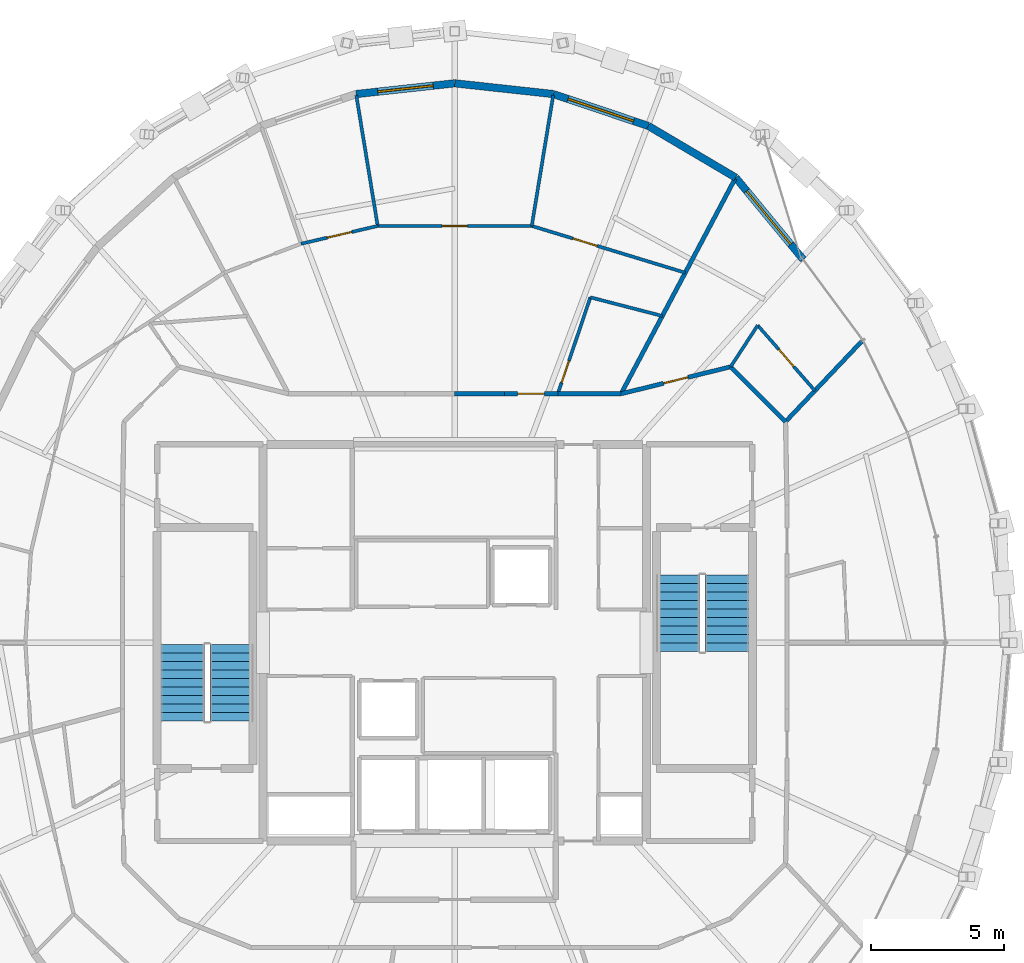
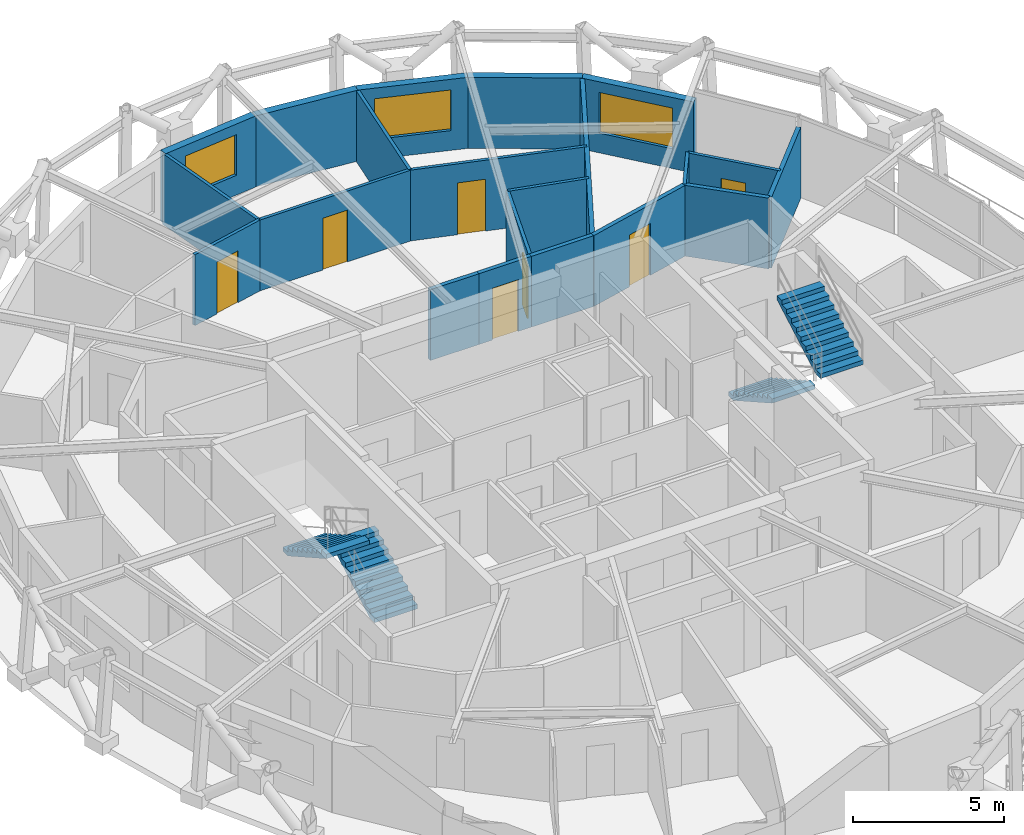
# One storey, part 14 of 15: 21 walls, 7 doors, 4 stair flights, 3 windows, 10 openings, 2 elements without a shape of their own.
"""IFC4 building model written with IfcOpenShell, lengths in metres."""

import ifcopenshell
import ifcopenshell.guid

model = None  # the IFC model being written
_history = None  # IfcOwnerHistory: only IFC2X3 demands one
_inside = {}  # id of a spatial element -> (the spatial element, [elements in it])
_under = {}  # id of a project, library or spatial element -> (it, [spatial elements below it])
_declared = {}  # id of a project -> (the project, [libraries it declares])
_typed = {}  # id of a type object -> (the type object, [elements of that type])
_made_of = {}  # id of a material, layer set ... -> (it, [elements and type objects made of it])


def new_model(schema):
    """Start an empty IFC model of exactly this schema.

    Asked for "IFC4X3", IfcOpenShell would pick the latest addendum, in which some entities
    have other attributes; the version numbers below select the first issue.
    IFC2X3 requires an IfcOwnerHistory on every rooted entity: one is made here for all.
    """
    global model, _history
    if schema == "IFC4X3":
        model = ifcopenshell.file(schema_version=(4, 3, 0, 0))
    else:
        model = ifcopenshell.file(schema=schema)
    _inside.clear()
    _under.clear()
    _declared.clear()
    _typed.clear()
    _made_of.clear()
    _history = None
    if model.schema == "IFC2X3":
        org = make("IfcOrganization", Name="unknown")
        user = make(
            "IfcPersonAndOrganization",
            ThePerson=make("IfcPerson", FamilyName="unknown"),
            TheOrganization=org,
        )
        app = make(
            "IfcApplication",
            ApplicationDeveloper=org,
            Version="unknown",
            ApplicationFullName="unknown",
            ApplicationIdentifier="unknown",
        )
        _history = make(
            "IfcOwnerHistory",
            OwningUser=user,
            OwningApplication=app,
            ChangeAction="ADDED",
            CreationDate=0,
        )
    return model


def make(cls, **values):
    """One entity of the class cls with the attributes given. An attribute that is None is left unset."""
    return model.create_entity(
        cls, **{name: value for name, value in values.items() if value is not None}
    )


def rooted(cls, **values):
    """An entity with a GlobalId (a new one), such as an element, a storey or a relation."""
    return make(cls, GlobalId=ifcopenshell.guid.new(), OwnerHistory=_history, **values)


def si_unit(unit_type, name, prefix=None):
    """IfcSIUnit, for example si_unit("LENGTHUNIT", "METRE", prefix="MILLI")."""
    return make("IfcSIUnit", UnitType=unit_type, Prefix=prefix, Name=name)


def assignment(units):
    """IfcUnitAssignment: the units of a project."""
    return None if units is None else make("IfcUnitAssignment", Units=units)


def point(xyz):
    """IfcCartesianPoint."""
    return None if xyz is None else make("IfcCartesianPoint", Coordinates=xyz)


def direction(xyz):
    """IfcDirection."""
    return None if xyz is None else make("IfcDirection", DirectionRatios=xyz)


def frame(location, z_axis=None, x_axis=None):
    """IfcAxis2Placement3D, a coordinate frame: its origin and axes. An axis left out is left unset."""
    return make(
        "IfcAxis2Placement3D",
        Location=point(location),
        Axis=direction(z_axis),
        RefDirection=direction(x_axis),
    )


def frame_2d(location, x_axis=None):
    """IfcAxis2Placement2D, a coordinate frame in the plane: its origin and x axis."""
    return make(
        "IfcAxis2Placement2D", Location=point(location), RefDirection=direction(x_axis)
    )


def origin():
    """The frame at (0, 0, 0) with its axes left unset."""
    return frame((0.0, 0.0, 0.0))


def place(relative_to, where):
    """IfcLocalPlacement: puts the frame where relative to a parent placement (None: the world)."""
    return make(
        "IfcLocalPlacement", PlacementRelTo=relative_to, RelativePlacement=where
    )


def context(
    kind, dimensions, precision=None, world=None, true_north=None, identifier=None
):
    """IfcGeometricRepresentationContext, for example the 3D "Model" context."""
    return make(
        "IfcGeometricRepresentationContext",
        ContextIdentifier=identifier,
        ContextType=kind,
        CoordinateSpaceDimension=dimensions,
        Precision=precision,
        WorldCoordinateSystem=world,
        TrueNorth=true_north,
    )


def subcontext(parent, identifier, kind, view, scale=None):
    """IfcGeometricRepresentationSubContext, for example "Body" below "Model"."""
    return make(
        "IfcGeometricRepresentationSubContext",
        ContextIdentifier=identifier,
        ContextType=kind,
        ParentContext=parent,
        TargetScale=scale,
        TargetView=view,
    )


def project(units=None, contexts=None):
    """IfcProject with its units and contexts."""
    return rooted(
        "IfcProject",
        Name="project",
        RepresentationContexts=contexts,
        UnitsInContext=assignment(units),
    )


def spatial(cls, under=None, at=None, **own):
    """A site, building, storey or space (cls), placed at a placement, below another one or the project."""
    s = rooted(cls, ObjectPlacement=at, **own)
    if under is not None:
        _under.setdefault(under.id(), (under, []))[1].append(s)
    return s


def polyline(points):
    """IfcPolyline through the points."""
    return make("IfcPolyline", Points=[point(p) for p in points])


def profile(cls, at=None, kind="AREA", **sizes):
    """A parametric profile (cls). Its sizes go by their IFC names, for example OverallWidth=200.0."""
    return make(cls, ProfileType=kind, Position=at, **sizes)


def rectangle(**sizes):
    """IfcRectangleProfileDef."""
    return profile("IfcRectangleProfileDef", **sizes)


def outline(outer, holes=None, kind="AREA"):
    """IfcArbitraryClosedProfileDef: a profile drawn as a closed curve; with holes, ...WithVoids."""
    if holes is None:
        return make("IfcArbitraryClosedProfileDef", ProfileType=kind, OuterCurve=outer)
    return make(
        "IfcArbitraryProfileDefWithVoids",
        ProfileType=kind,
        OuterCurve=outer,
        InnerCurves=holes,
    )


def extrude(swept, where, along, depth):
    """IfcExtrudedAreaSolid: the profile swept, set in the frame where, extruded along a direction by depth."""
    return make(
        "IfcExtrudedAreaSolid",
        SweptArea=swept,
        Position=where,
        ExtrudedDirection=direction(along),
        Depth=depth,
    )


def shape(context_of_items, identifier, shape_type, items):
    """IfcShapeRepresentation: the items that make up one representation, for example the "Body"."""
    return make(
        "IfcShapeRepresentation",
        ContextOfItems=context_of_items,
        RepresentationIdentifier=identifier,
        RepresentationType=shape_type,
        Items=items,
    )


def material(Name=None, Category=None):
    """IfcMaterial."""
    return make("IfcMaterial", Name=Name, Category=Category)


def layer(
    of_material, thickness, ventilated=None, Name=None, Category=None, Priority=None
):
    """IfcMaterialLayer: one layer of a wall or slab, of a material (None: an air gap)."""
    return make(
        "IfcMaterialLayer",
        Material=of_material,
        LayerThickness=thickness,
        IsVentilated=ventilated,
        Name=Name,
        Category=Category,
        Priority=Priority,
    )


def layer_set(layers, Name=None):
    """IfcMaterialLayerSet."""
    return make("IfcMaterialLayerSet", MaterialLayers=layers, LayerSetName=Name)


def made_of(thing, what):
    """Note that an element or type object is made of a material, layer set ...; save() writes the relation."""
    if what is not None:
        _made_of.setdefault(what.id(), (what, []))[1].append(thing)
    return thing


def type_object(cls, material=None, **own):
    """A type object (cls), such as IfcWallType, which elements share."""
    return made_of(rooted(cls, **own), material)


def element(
    cls,
    number,
    at=None,
    inside=None,
    cuts=None,
    type_object=None,
    material=None,
    context=None,
    identifier="Body",
    shape_type=None,
    held_by="IfcProductDefinitionShape",
    body=None,
    shapes=None,
    **own,
):
    """One element of the class cls, such as IfcWall. Its Tag is "e" and its number.

    at: its placement. inside: the storey or other place that contains it. cuts: it is an
    opening in that element (IfcRelVoidsElement). A single representation is given by context,
    identifier, shape_type and body (its items); several are given by shapes. held_by: the class
    of the entity that holds the representations. save() writes the other relations.
    """
    e = rooted(cls, Tag="e%d" % number, ObjectPlacement=at, **own)
    if body is not None:
        shapes = [shape(context, identifier, shape_type, body)]
    if shapes is not None:
        e.Representation = make(held_by, Representations=shapes)
    if inside is not None:
        _inside.setdefault(inside.id(), (inside, []))[1].append(e)
    if cuts is not None:
        rooted(
            "IfcRelVoidsElement", RelatingBuildingElement=cuts, RelatedOpeningElement=e
        )
    if type_object is not None:
        _typed.setdefault(type_object.id(), (type_object, []))[1].append(e)
    return made_of(e, material)


def fill(opening, filler):
    """IfcRelFillsElement: the door or window that sits in an opening."""
    return rooted(
        "IfcRelFillsElement",
        RelatingOpeningElement=opening,
        RelatedBuildingElement=filler,
    )


def aggregate(whole, parts):
    """IfcRelAggregates: a whole, such as a stair, and the parts it consists of."""
    return rooted("IfcRelAggregates", RelatingObject=whole, RelatedObjects=parts)


def save(model, path):
    """Write the relations noted so far, then the file.

    IfcRelAggregates (storeys below a building ...), IfcRelContainedInSpatialStructure (elements
    in a storey), IfcRelDefinesByType, IfcRelAssociatesMaterial and IfcRelDeclares: one each for
    every whole, place, type object, material and project.
    """
    for whole, parts in _under.values():
        aggregate(whole, parts)
    for where, things in _inside.values():
        rooted(
            "IfcRelContainedInSpatialStructure",
            RelatedElements=things,
            RelatingStructure=where,
        )
    for kind, things in _typed.values():
        rooted("IfcRelDefinesByType", RelatedObjects=things, RelatingType=kind)
    for what, things in _made_of.values():
        rooted("IfcRelAssociatesMaterial", RelatedObjects=things, RelatingMaterial=what)
    for by, libraries in _declared.values():
        rooted("IfcRelDeclares", RelatingContext=by, RelatedDefinitions=libraries)
    model.write(path)


model = new_model("IFC4")

# Units and contexts
model_context = context("Model", 3, precision=1e-05, world=origin(), true_north=direction((0.0, 1.0)))
body_context = subcontext(model_context, "Body", "Model", "MODEL_VIEW")
ifc_project = project(units=[si_unit("LENGTHUNIT", "METRE"), si_unit("AREAUNIT", "SQUARE_METRE"), si_unit("VOLUMEUNIT", "CUBIC_METRE"), si_unit("PLANEANGLEUNIT", "RADIAN"), si_unit("MASSUNIT", "GRAM", prefix="KILO")], contexts=[model_context])

# Site, building, storey
site_placement = place(None, origin())
site = spatial("IfcSite", under=ifc_project, at=site_placement, CompositionType="ELEMENT")
building_placement = place(site_placement, origin())
building = spatial("IfcBuilding", under=site, at=building_placement, Name="Veldorina Hangang Commons", CompositionType="ELEMENT")
storey_placement = place(building_placement, frame((0.0, 0.0, 276.0)))
storey = spatial("IfcBuildingStorey", under=building, at=storey_placement, Name="L72", CompositionType="ELEMENT", Elevation=276.0)

# Wall, opening, window
ifc_material_1 = material(Name="Stone Roman Travertine", Category="masonry")
ifc_layer_1 = layer(ifc_material_1, 0.280029296875)
ifc_layer_set_1 = layer_set([ifc_layer_1], Name="Stone Roman Travertine")
wall_type_1 = type_object("IfcWallType", Name="EW-TRAV-280", PredefinedType="STANDARD", material=ifc_layer_set_1)
wall_1_placement = place(storey_placement, frame((45.093994140625, 38.39111328125, 0.0), z_axis=(0.0, 0.0, 1.0), x_axis=(-0.636345665214, 0.77140404093, 0.0)))
wall_1 = element("IfcWall", 1, at=wall_1_placement, inside=storey, type_object=wall_type_1, Name="L72 travertine facade wall 04", PredefinedType="STANDARD", context=body_context, shape_type="SweptSolid", body=[
    extrude(rectangle(XDim=3.9931640625, YDim=0.280029296875, at=frame_2d((1.99658203125, 0.0))), origin(), (0.0, 0.0, 1.0), 2.8798828125),
])
opening_1_placement = place(wall_1_placement, frame((0.742431640625, 0.0, 0.800048828125)))
opening_1 = element("IfcOpeningElement", 2, at=opening_1_placement, cuts=wall_1, Name="Opening W-02", PredefinedType="OPENING", context=body_context, shape_type="SweptSolid", body=[
    extrude(rectangle(XDim=2.60009765625, YDim=1.64990234375, at=frame_2d((1.300048828125, 0.824951171875))), frame((0.0, 0.14990234375, 0.0), z_axis=(0.0, -1.0, 0.0), x_axis=(1.0, 0.0, 0.0)), (0.0, 0.0, 1.0), 0.300048828125),
])
ifc_material_2 = material(Name="Glass Low-E Triple IGU", Category="glass")
window_type_1 = type_object("IfcWindowType", Name="WIN-TWR-2600", PartitioningType="SINGLE_PANEL", PredefinedType="WINDOW", material=ifc_material_2)
window_1_placement = place(opening_1_placement, origin())
window_1 = element("IfcWindow", 3, at=window_1_placement, inside=storey, type_object=window_type_1, Name="L72 facade window 04", OverallHeight=1.64990234375, OverallWidth=2.60009765625, PartitioningType="SINGLE_PANEL", PredefinedType="WINDOW", context=body_context, shape_type="SweptSolid", body=[
    extrude(rectangle(XDim=2.60009765625, YDim=1.64990234375, at=frame_2d((1.300048828125, 0.824951171875))), frame((0.0, 0.030029296875, 0.0), z_axis=(0.0, -1.0, 0.0), x_axis=(1.0, 0.0, 0.0)), (0.0, 0.0, 1.0), 0.06005859375),
])
fill(opening_1, window_1)

# Wall
wall_2_placement = place(storey_placement, frame((42.552978515625, 41.471435546875, 0.0), z_axis=(0.0, 0.0, 1.0), x_axis=(-0.860795275747, 0.508951366294, 0.0)))
element("IfcWall", 4, at=wall_2_placement, inside=storey, type_object=wall_type_1, Name="L72 travertine facade wall 05", PredefinedType="STANDARD", context=body_context, shape_type="SweptSolid", body=[
    extrude(rectangle(XDim=3.81494140625, YDim=0.280029296875, at=frame_2d((1.907470703125, 0.0))), origin(), (0.0, 0.0, 1.0), 2.8798828125),
])

# Wall, opening, window
wall_3_placement = place(storey_placement, frame((39.26904296875, 43.4130859375, 0.0), z_axis=(0.0, 0.0, 1.0), x_axis=(-0.948038268377, 0.318156316445, 0.0)))
wall_3 = element("IfcWall", 5, at=wall_3_placement, inside=storey, type_object=wall_type_1, Name="L72 travertine facade wall 06", PredefinedType="STANDARD", context=body_context, shape_type="SweptSolid", body=[
    extrude(rectangle(XDim=3.758544921875, YDim=0.280029296875, at=frame_2d((1.87939453125, 0.0))), origin(), (0.0, 0.0, 1.0), 2.8798828125),
])
opening_2_placement = place(wall_3_placement, frame((0.579345703125, 0.0, 0.800048828125)))
opening_2 = element("IfcOpeningElement", 6, at=opening_2_placement, cuts=wall_3, Name="Opening W-02", PredefinedType="OPENING", context=body_context, shape_type="SweptSolid", body=[
    extrude(rectangle(XDim=2.60009765625, YDim=1.64990234375, at=frame_2d((1.300048828125, 0.824951171875))), frame((0.0, 0.14990234375, 0.0), z_axis=(0.0, -1.0, 0.0), x_axis=(1.0, 0.0, 0.0)), (0.0, 0.0, 1.0), 0.300048828125),
])
window_2_placement = place(opening_2_placement, origin())
window_2 = element("IfcWindow", 7, at=window_2_placement, inside=storey, type_object=window_type_1, Name="L72 facade window 06", OverallHeight=1.64990234375, OverallWidth=2.60009765625, PartitioningType="SINGLE_PANEL", PredefinedType="WINDOW", context=body_context, shape_type="SweptSolid", body=[
    extrude(rectangle(XDim=2.60009765625, YDim=1.64990234375, at=frame_2d((1.300048828125, 0.824951171875))), frame((0.0, 0.030029296875, 0.0), z_axis=(0.0, -1.0, 0.0), x_axis=(1.0, 0.0, 0.0)), (0.0, 0.0, 1.0), 0.06005859375),
])
fill(opening_2, window_2)

# Wall
wall_4_placement = place(storey_placement, frame((35.705810546875, 44.60888671875, 0.0), z_axis=(0.0, 0.0, 1.0), x_axis=(-0.99411552011, 0.108325124861, 0.0)))
element("IfcWall", 8, at=wall_4_placement, inside=storey, type_object=wall_type_1, Name="L72 travertine facade wall 07", PredefinedType="STANDARD", context=body_context, shape_type="SweptSolid", body=[
    extrude(rectangle(XDim=3.727783203125, YDim=0.280029296875, at=frame_2d((1.86376953125, 0.0))), origin(), (0.0, 0.0, 1.0), 2.8798828125),
])

# Wall, opening, window
wall_5_placement = place(storey_placement, frame((32.0, 45.0126953125, 0.0), z_axis=(0.0, 0.0, 1.0), x_axis=(-0.99411552011, -0.108325124861, 0.0)))
wall_5 = element("IfcWall", 9, at=wall_5_placement, inside=storey, type_object=wall_type_1, Name="L72 travertine facade wall 08", PredefinedType="STANDARD", context=body_context, shape_type="SweptSolid", body=[
    extrude(rectangle(XDim=3.727783203125, YDim=0.280029296875, at=frame_2d((1.86376953125, 0.0))), origin(), (0.0, 0.0, 1.0), 2.8798828125),
])
opening_3_placement = place(wall_5_placement, frame((0.813720703125, 0.0, 0.800048828125)))
opening_3 = element("IfcOpeningElement", 10, at=opening_3_placement, cuts=wall_5, Name="Opening W-03", PredefinedType="OPENING", context=body_context, shape_type="SweptSolid", body=[
    extrude(rectangle(XDim=2.10009765625, YDim=1.64990234375, at=frame_2d((1.050048828125, 0.824951171875))), frame((0.0, 0.14990234375, 0.0), z_axis=(0.0, -1.0, 0.0), x_axis=(1.0, 0.0, 0.0)), (0.0, 0.0, 1.0), 0.300048828125),
])
window_type_2 = type_object("IfcWindowType", Name="WIN-TWR-2100", PartitioningType="SINGLE_PANEL", PredefinedType="WINDOW", material=ifc_material_2)
window_3_placement = place(opening_3_placement, origin())
window_3 = element("IfcWindow", 11, at=window_3_placement, inside=storey, type_object=window_type_2, Name="L72 facade window 08", OverallHeight=1.64990234375, OverallWidth=2.10009765625, PartitioningType="SINGLE_PANEL", PredefinedType="WINDOW", context=body_context, shape_type="SweptSolid", body=[
    extrude(rectangle(XDim=2.10009765625, YDim=1.64990234375, at=frame_2d((1.050048828125, 0.824951171875))), frame((0.0, 0.030029296875, 0.0), z_axis=(0.0, -1.0, 0.0), x_axis=(1.0, 0.0, 0.0)), (0.0, 0.0, 1.0), 0.06005859375),
])
fill(opening_3, window_3)

# Wall
ifc_material_3 = material(Name="Gypsum Fire-Rated Twin Stud Wall", Category="gypsum")
ifc_layer_2 = layer(ifc_material_3, 0.159912109375)
ifc_layer_set_2 = layer_set([ifc_layer_2], Name="Gypsum Fire-Rated Twin Stud Wall")
wall_type_2 = type_object("IfcWallType", Name="WL-FIRE-160", PredefinedType="SOLIDWALL", material=ifc_layer_set_2)
wall_6_placement = place(storey_placement, frame((44.4267578125, 32.30322265625, 0.0), z_axis=(0.0, 0.0, 1.0), x_axis=(-0.707106781187, 0.707106781187, 0.0)))
element("IfcWall", 12, at=wall_6_placement, inside=storey, type_object=wall_type_2, Name="L72 Compact collar outer wall 03 055", PredefinedType="SOLIDWALL", context=body_context, shape_type="SweptSolid", body=[
    extrude(rectangle(XDim=2.915771484375, YDim=0.159912109375, at=frame_2d((1.4580078125, 0.0))), origin(), (0.0, 0.0, 1.0), 2.8701171875),
])

# Wall, opening, door
wall_7_placement = place(storey_placement, frame((42.364990234375, 34.364990234375, 0.0), z_axis=(0.0, 0.0, 1.0), x_axis=(-0.970939799552, -0.239323850978, 0.0)))
wall_7 = element("IfcWall", 13, at=wall_7_placement, inside=storey, type_object=wall_type_2, Name="L72 Compact collar outer wall 04 056", PredefinedType="SOLIDWALL", context=body_context, shape_type="SweptSolid", body=[
    extrude(rectangle(XDim=4.24072265625, YDim=0.159912109375, at=frame_2d((2.120361328125, 0.0))), origin(), (0.0, 0.0, 1.0), 2.8701171875),
])
opening_4_placement = place(wall_7_placement, frame((1.6455078125, 0.0, 0.0)))
opening_4 = element("IfcOpeningElement", 14, at=opening_4_placement, cuts=wall_7, Name="Opening D-03", PredefinedType="OPENING", context=body_context, shape_type="SweptSolid", body=[
    extrude(rectangle(XDim=0.949951171875, YDim=2.10009765625, at=frame_2d((0.47509765625, 1.050048828125))), frame((0.0, 0.08984375, 0.0), z_axis=(0.0, -1.0, 0.0), x_axis=(1.0, 0.0, 0.0)), (0.0, 0.0, 1.0), 0.179931640625),
])
ifc_material_4 = material(Name="Timber Fire-Rated Entrance Core", Category="wood")
door_type_1 = type_object("IfcDoorType", Name="DR-UNIT-950", OperationType="SINGLE_SWING_RIGHT", PredefinedType="DOOR", material=ifc_material_4)
door_1_placement = place(opening_4_placement, origin())
door_1 = element("IfcDoor", 15, at=door_1_placement, inside=storey, type_object=door_type_1, Name="L72 Studio 3 entrance door 024", OperationType="SINGLE_SWING_RIGHT", OverallHeight=2.10009765625, OverallWidth=0.949951171875, PredefinedType="DOOR", context=body_context, shape_type="SweptSolid", body=[
    extrude(rectangle(XDim=0.949951171875, YDim=2.10009765625, at=frame_2d((0.47509765625, 1.050048828125))), frame((0.0, 0.02490234375, 0.0), z_axis=(0.0, -1.0, 0.0), x_axis=(1.0, 0.0, 0.0)), (0.0, 0.0, 1.0), 0.050048828125),
])
fill(opening_4, door_1)

# Wall
wall_8_placement = place(storey_placement, frame((38.24755859375, 33.35009765625, 0.0), z_axis=(0.0, 0.0, 1.0), x_axis=(-1.0, 0.0, 0.0)))
element("IfcWall", 16, at=wall_8_placement, inside=storey, type_object=wall_type_2, Name="L72 Compact collar outer wall 05 057", PredefinedType="SOLIDWALL", context=body_context, shape_type="SweptSolid", body=[
    extrude(rectangle(XDim=2.374755859375, YDim=0.159912109375, at=frame_2d((1.1875, 0.0))), origin(), (0.0, 0.0, 1.0), 2.8701171875),
])

# Wall, opening, door
wall_9_placement = place(storey_placement, frame((35.872802734375, 33.35009765625, 0.0), z_axis=(0.0, 0.0, 1.0), x_axis=(-1.0, 0.0, 0.0)))
wall_9 = element("IfcWall", 17, at=wall_9_placement, inside=storey, type_object=wall_type_2, Name="L72 Compact collar outer wall 06 058", PredefinedType="SOLIDWALL", context=body_context, shape_type="SweptSolid", body=[
    extrude(rectangle(XDim=2.012939453125, YDim=0.159912109375, at=frame_2d((1.00634765625, 0.0))), origin(), (0.0, 0.0, 1.0), 2.8701171875),
])
opening_5_placement = place(wall_9_placement, frame((0.506591796875, 0.0, 0.0)))
opening_5 = element("IfcOpeningElement", 18, at=opening_5_placement, cuts=wall_9, Name="Opening D-06", PredefinedType="OPENING", context=body_context, shape_type="SweptSolid", body=[
    extrude(rectangle(XDim=1.0, YDim=2.10009765625, at=frame_2d((0.5, 1.050048828125))), frame((0.0, 0.08984375, 0.0), z_axis=(0.0, -1.0, 0.0), x_axis=(1.0, 0.0, 0.0)), (0.0, 0.0, 1.0), 0.179931640625),
])
door_type_2 = type_object("IfcDoorType", Name="DR-UNIT-1000", OperationType="SINGLE_SWING_LEFT", PredefinedType="DOOR", material=ifc_material_4)
door_2_placement = place(opening_5_placement, origin())
door_2 = element("IfcDoor", 19, at=door_2_placement, inside=storey, type_object=door_type_2, Name="L72 Cluster 4 entrance door 026", OperationType="SINGLE_SWING_RIGHT", OverallHeight=2.10009765625, OverallWidth=1.0, PredefinedType="DOOR", context=body_context, shape_type="SweptSolid", body=[
    extrude(rectangle(XDim=1.0, YDim=2.10009765625, at=frame_2d((0.5, 1.050048828125))), frame((0.0, 0.02490234375, 0.0), z_axis=(0.0, -1.0, 0.0), x_axis=(1.0, 0.0, 0.0)), (0.0, 0.0, 1.0), 0.050048828125),
])
fill(opening_5, door_2)

# Walls
wall_10_placement = place(storey_placement, frame((33.85986328125, 33.35009765625, 0.0), z_axis=(0.0, 0.0, 1.0), x_axis=(-1.0, 0.0, 0.0)))
element("IfcWall", 20, at=wall_10_placement, inside=storey, type_object=wall_type_2, Name="L72 Compact collar outer wall 07 059", PredefinedType="SOLIDWALL", context=body_context, shape_type="SweptSolid", body=[
    extrude(rectangle(XDim=1.85986328125, YDim=0.159912109375, at=frame_2d((0.929931640625, 0.0))), origin(), (0.0, 0.0, 1.0), 2.8701171875),
])
wall_11_placement = place(storey_placement, frame((44.4267578125, 32.30322265625, 0.0), z_axis=(0.0, 0.0, 1.0), x_axis=(0.688077752734, 0.72563696584, 0.0)))
element("IfcWall", 21, at=wall_11_placement, inside=storey, type_object=wall_type_2, Name="L72 Unit party wall 03 088", PredefinedType="SOLIDWALL", context=body_context, shape_type="SweptSolid", body=[
    extrude(rectangle(XDim=4.16650390625, YDim=0.159912109375, at=frame_2d((2.083251953125, 0.0))), origin(), (0.0, 0.0, 1.0), 2.8701171875),
])
wall_12_placement = place(storey_placement, frame((38.24755859375, 33.35009765625, 0.0), z_axis=(0.0, 0.0, 1.0), x_axis=(0.468387037798, 0.883523391214, 0.0)))
element("IfcWall", 22, at=wall_12_placement, inside=storey, type_object=wall_type_2, Name="L72 Unit party wall 05 091", PredefinedType="SOLIDWALL", context=body_context, shape_type="SweptSolid", body=[
    extrude(rectangle(XDim=9.14208984375, YDim=0.159912109375, at=frame_2d((4.571044921875, 0.0))), origin(), (0.0, 0.0, 1.0), 2.8701171875),
])

# Wall, opening, door
ifc_material_5 = material(Name="Gypsum Acoustic Stud Partition", Category="gypsum")
ifc_layer_3 = layer(ifc_material_5, 0.1201171875)
ifc_layer_set_3 = layer_set([ifc_layer_3], Name="Gypsum Acoustic Stud Partition")
wall_type_3 = type_object("IfcWallType", Name="WL-PART-120", PredefinedType="PARTITIONING", material=ifc_layer_set_3)
wall_13_placement = place(storey_placement, frame((45.529296875, 33.4658203125, 0.0), z_axis=(0.0, 0.0, 1.0), x_axis=(-0.658568155217, 0.752521086039, 0.0)))
wall_13 = element("IfcWall", 23, at=wall_13_placement, inside=storey, type_object=wall_type_3, Name="L72 Studio 3 bath front wall 089", PredefinedType="PARTITIONING", context=body_context, shape_type="SweptSolid", body=[
    extrude(rectangle(XDim=3.263671875, YDim=0.1201171875, at=frame_2d((1.6318359375, 0.0))), origin(), (0.0, 0.0, 1.0), 2.8701171875),
])
opening_6_placement = place(wall_13_placement, frame((1.201904296875, 0.0, 0.0)))
opening_6 = element("IfcOpeningElement", 24, at=opening_6_placement, cuts=wall_13, Name="Opening D-01", PredefinedType="OPENING", context=body_context, shape_type="SweptSolid", body=[
    extrude(rectangle(XDim=0.860107421875, YDim=2.10009765625, at=frame_2d((0.43017578125, 1.050048828125))), frame((0.0, 0.070068359375, 0.0), z_axis=(0.0, -1.0, 0.0), x_axis=(1.0, 0.0, 0.0)), (0.0, 0.0, 1.0), 0.14013671875),
])
ifc_material_6 = material(Name="Timber Moisture-Resistant Core", Category="wood")
door_type_3 = type_object("IfcDoorType", Name="DR-WET-860", OperationType="SINGLE_SWING_LEFT", PredefinedType="DOOR", material=ifc_material_6)
door_3_placement = place(opening_6_placement, origin())
door_3 = element("IfcDoor", 25, at=door_3_placement, inside=storey, type_object=door_type_3, Name="L72 Studio 3 bathroom door 023", OperationType="SINGLE_SWING_LEFT", OverallHeight=2.10009765625, OverallWidth=0.860107421875, PredefinedType="DOOR", context=body_context, shape_type="SweptSolid", body=[
    extrude(rectangle(XDim=0.860107421875, YDim=2.10009765625, at=frame_2d((0.43017578125, 1.050048828125))), frame((0.0, 0.02490234375, 0.0), z_axis=(0.0, -1.0, 0.0), x_axis=(1.0, 0.0, 0.0)), (0.0, 0.0, 1.0), 0.050048828125),
])
fill(opening_6, door_3)

# Walls
wall_14_placement = place(storey_placement, frame((42.364990234375, 34.364990234375, 0.0), z_axis=(0.0, 0.0, 1.0), x_axis=(0.546091451309, 0.837725567717, 0.0)))
element("IfcWall", 26, at=wall_14_placement, inside=storey, type_object=wall_type_3, Name="L72 Studio 3 bath side wall 090", PredefinedType="PARTITIONING", context=body_context, shape_type="SweptSolid", body=[
    extrude(rectangle(XDim=1.8583984375, YDim=0.1201171875, at=frame_2d((0.92919921875, 0.0))), origin(), (0.0, 0.0, 1.0), 2.8701171875),
])
wall_15_placement = place(storey_placement, frame((39.797607421875, 36.273681640625, 0.0), z_axis=(0.0, 0.0, 1.0), x_axis=(-0.968113270106, 0.250512866424, 0.0)))
element("IfcWall", 27, at=wall_15_placement, inside=storey, type_object=wall_type_3, Name="L72 Cluster 4 bath front wall 092", PredefinedType="PARTITIONING", context=body_context, shape_type="SweptSolid", body=[
    extrude(rectangle(XDim=2.791259765625, YDim=0.1201171875, at=frame_2d((1.3955078125, 0.0))), origin(), (0.0, 0.0, 1.0), 2.8701171875),
])

# Wall, opening, door
wall_16_placement = place(storey_placement, frame((35.872802734375, 33.35009765625, 0.0), z_axis=(0.0, 0.0, 1.0), x_axis=(0.319769329264, 0.947495422713, 0.0)))
wall_16 = element("IfcWall", 28, at=wall_16_placement, inside=storey, type_object=wall_type_3, Name="L72 Cluster 4 bath side wall 093", PredefinedType="PARTITIONING", context=body_context, shape_type="SweptSolid", body=[
    extrude(rectangle(XDim=3.823486328125, YDim=0.1201171875, at=frame_2d((1.91162109375, 0.0))), origin(), (0.0, 0.0, 1.0), 2.8701171875),
])
opening_7_placement = place(wall_16_placement, frame((0.43994140625, 0.0, 0.0)))
opening_7 = element("IfcOpeningElement", 29, at=opening_7_placement, cuts=wall_16, Name="Opening D-01", PredefinedType="OPENING", context=body_context, shape_type="SweptSolid", body=[
    extrude(rectangle(XDim=0.860107421875, YDim=2.10009765625, at=frame_2d((0.43017578125, 1.050048828125))), frame((0.0, 0.070068359375, 0.0), z_axis=(0.0, -1.0, 0.0), x_axis=(1.0, 0.0, 0.0)), (0.0, 0.0, 1.0), 0.14013671875),
])
door_4_placement = place(opening_7_placement, origin())
door_4 = element("IfcDoor", 30, at=door_4_placement, inside=storey, type_object=door_type_3, Name="L72 Cluster 4 shared bathroom door 025", OperationType="SINGLE_SWING_LEFT", OverallHeight=2.10009765625, OverallWidth=0.860107421875, PredefinedType="DOOR", context=body_context, shape_type="SweptSolid", body=[
    extrude(rectangle(XDim=0.860107421875, YDim=2.10009765625, at=frame_2d((0.43017578125, 1.050048828125))), frame((0.0, 0.02490234375, 0.0), z_axis=(0.0, -1.0, 0.0), x_axis=(1.0, 0.0, 0.0)), (0.0, 0.0, 1.0), 0.050048828125),
])
fill(opening_7, door_4)

wall_17_placement = place(storey_placement, frame((40.65869140625, 37.89794921875, 0.0), z_axis=(0.0, 0.0, 1.0), x_axis=(-0.956559500831, 0.291537169792, 0.0)))
wall_17 = element("IfcWall", 31, at=wall_17_placement, inside=storey, type_object=wall_type_3, Name="L72 Cluster 4 bed 1 front wall 094", PredefinedType="PARTITIONING", context=body_context, shape_type="SweptSolid", body=[
    extrude(rectangle(XDim=6.02685546875, YDim=0.1201171875, at=frame_2d((3.013427734375, 0.0))), origin(), (0.0, 0.0, 1.0), 2.8701171875),
])
opening_8_placement = place(wall_17_placement, frame((3.4619140625, 0.0, 0.0)))
opening_8 = element("IfcOpeningElement", 32, at=opening_8_placement, cuts=wall_17, Name="Opening D-02", PredefinedType="OPENING", context=body_context, shape_type="SweptSolid", body=[
    extrude(rectangle(XDim=0.949951171875, YDim=2.10009765625, at=frame_2d((0.47509765625, 1.050048828125))), frame((0.0, 0.070068359375, 0.0), z_axis=(0.0, -1.0, 0.0), x_axis=(1.0, 0.0, 0.0)), (0.0, 0.0, 1.0), 0.14013671875),
])
ifc_material_7 = material(Name="Timber Solid Core Acoustic", Category="wood")
door_type_4 = type_object("IfcDoorType", Name="DR-INT-950", OperationType="SINGLE_SWING_LEFT", PredefinedType="DOOR", material=ifc_material_7)
door_5_placement = place(opening_8_placement, origin())
door_5 = element("IfcDoor", 33, at=door_5_placement, inside=storey, type_object=door_type_4, Name="L72 Cluster 4 bed 1 door 027", OperationType="SINGLE_SWING_LEFT", OverallHeight=2.10009765625, OverallWidth=0.949951171875, PredefinedType="DOOR", context=body_context, shape_type="SweptSolid", body=[
    extrude(rectangle(XDim=0.949951171875, YDim=2.10009765625, at=frame_2d((0.47509765625, 1.050048828125))), frame((0.0, 0.02490234375, 0.0), z_axis=(0.0, -1.0, 0.0), x_axis=(1.0, 0.0, 0.0)), (0.0, 0.0, 1.0), 0.050048828125),
])
fill(opening_8, door_5)

wall_18_placement = place(storey_placement, frame((34.8935546875, 39.655029296875, 0.0), z_axis=(0.0, 0.0, 1.0), x_axis=(-1.0, 0.0, 0.0)))
wall_18 = element("IfcWall", 34, at=wall_18_placement, inside=storey, type_object=wall_type_3, Name="L72 Cluster 4 bed 2 front wall 095", PredefinedType="PARTITIONING", context=body_context, shape_type="SweptSolid", body=[
    extrude(rectangle(XDim=5.787109375, YDim=0.1201171875, at=frame_2d((2.8935546875, 0.0))), origin(), (0.0, 0.0, 1.0), 2.8701171875),
])
opening_9_placement = place(wall_18_placement, frame((2.41845703125, 0.0, 0.0)))
opening_9 = element("IfcOpeningElement", 35, at=opening_9_placement, cuts=wall_18, Name="Opening D-02", PredefinedType="OPENING", context=body_context, shape_type="SweptSolid", body=[
    extrude(rectangle(XDim=0.949951171875, YDim=2.10009765625, at=frame_2d((0.47509765625, 1.050048828125))), frame((0.0, 0.070068359375, 0.0), z_axis=(0.0, -1.0, 0.0), x_axis=(1.0, 0.0, 0.0)), (0.0, 0.0, 1.0), 0.14013671875),
])
door_6_placement = place(opening_9_placement, origin())
door_6 = element("IfcDoor", 36, at=door_6_placement, inside=storey, type_object=door_type_4, Name="L72 Cluster 4 bed 2 door 028", OperationType="SINGLE_SWING_RIGHT", OverallHeight=2.10009765625, OverallWidth=0.949951171875, PredefinedType="DOOR", context=body_context, shape_type="SweptSolid", body=[
    extrude(rectangle(XDim=0.949951171875, YDim=2.10009765625, at=frame_2d((0.47509765625, 1.050048828125))), frame((0.0, 0.02490234375, 0.0), z_axis=(0.0, -1.0, 0.0), x_axis=(1.0, 0.0, 0.0)), (0.0, 0.0, 1.0), 0.050048828125),
])
fill(opening_9, door_6)

# Wall
wall_19_placement = place(storey_placement, frame((34.8935546875, 39.655029296875, 0.0), z_axis=(0.0, 0.0, 1.0), x_axis=(0.161761695347, 0.986829850541, 0.0)))
element("IfcWall", 37, at=wall_19_placement, inside=storey, type_object=wall_type_3, Name="L72 Cluster 4 bed divider 1 096", PredefinedType="PARTITIONING", context=body_context, shape_type="SweptSolid", body=[
    extrude(rectangle(XDim=4.969970703125, YDim=0.1201171875, at=frame_2d((2.48486328125, 0.0))), origin(), (0.0, 0.0, 1.0), 2.8701171875),
])

# Wall, opening, door
wall_20_placement = place(storey_placement, frame((29.1064453125, 39.655029296875, 0.0), z_axis=(0.0, 0.0, 1.0), x_axis=(-0.974033853609, -0.226402411698, 0.0)))
wall_20 = element("IfcWall", 38, at=wall_20_placement, inside=storey, type_object=wall_type_3, Name="L72 Cluster 4 bed 3 front wall 097", PredefinedType="PARTITIONING", context=body_context, shape_type="SweptSolid", body=[
    extrude(rectangle(XDim=2.9580078125, YDim=0.1201171875, at=frame_2d((1.47900390625, 0.0))), origin(), (0.0, 0.0, 1.0), 2.8701171875),
])
opening_10_placement = place(wall_20_placement, frame((1.00390625, 0.0, 0.0)))
opening_10 = element("IfcOpeningElement", 39, at=opening_10_placement, cuts=wall_20, Name="Opening D-02", PredefinedType="OPENING", context=body_context, shape_type="SweptSolid", body=[
    extrude(rectangle(XDim=0.949951171875, YDim=2.10009765625, at=frame_2d((0.47509765625, 1.050048828125))), frame((0.0, 0.070068359375, 0.0), z_axis=(0.0, -1.0, 0.0), x_axis=(1.0, 0.0, 0.0)), (0.0, 0.0, 1.0), 0.14013671875),
])
door_7_placement = place(opening_10_placement, origin())
door_7 = element("IfcDoor", 40, at=door_7_placement, inside=storey, type_object=door_type_4, Name="L72 Cluster 4 bed 3 door 029", OperationType="SINGLE_SWING_LEFT", OverallHeight=2.10009765625, OverallWidth=0.949951171875, PredefinedType="DOOR", context=body_context, shape_type="SweptSolid", body=[
    extrude(rectangle(XDim=0.949951171875, YDim=2.10009765625, at=frame_2d((0.47509765625, 1.050048828125))), frame((0.0, 0.02490234375, 0.0), z_axis=(0.0, -1.0, 0.0), x_axis=(1.0, 0.0, 0.0)), (0.0, 0.0, 1.0), 0.050048828125),
])
fill(opening_10, door_7)

# Wall
wall_21_placement = place(storey_placement, frame((29.1064453125, 39.655029296875, 0.0), z_axis=(0.0, 0.0, 1.0), x_axis=(-0.161761695347, 0.986829850541, 0.0)))
element("IfcWall", 41, at=wall_21_placement, inside=storey, type_object=wall_type_3, Name="L72 Cluster 4 bed divider 2 098", PredefinedType="PARTITIONING", context=body_context, shape_type="SweptSolid", body=[
    extrude(rectangle(XDim=4.969970703125, YDim=0.1201171875, at=frame_2d((2.48486328125, 0.0))), origin(), (0.0, 0.0, 1.0), 2.8701171875),
])

# Stair, stair flights
ifc_material_8 = material(Name="Concrete C40/50", Category="concrete")
stair_type = type_object("IfcStairType", Name="STR-DOG-1650-20R", PredefinedType="HALF_TURN_STAIR", material=ifc_material_8)
stair_1_placement = place(storey_placement, origin())
stair_1 = element("IfcStair", 42, at=stair_1_placement, inside=storey, type_object=stair_type, Name="L72 Exit stair ST-1", PredefinedType="HALF_TURN_STAIR")
stair_flight_type = type_object("IfcStairFlightType", Name="SFL-STR-1650-20R", PredefinedType="STRAIGHT", material=ifc_material_8)
stair_flight_1_placement = place(storey_placement, frame((23.625, 21.050048828125, 0.0), z_axis=(0.0, 0.0, 1.0), x_axis=(0.0, 1.0, 0.0)))
stair_flight_1 = element("IfcStairFlight", 43, at=stair_flight_1_placement, type_object=stair_flight_type, Name="ST-1 flight 1", NumberOfRisers=10, NumberOfTreads=9, PredefinedType="STRAIGHT", RiserHeight=0.18, TreadLength=0.32, context=body_context, shape_type="SweptSolid", body=[
    extrude(outline(polyline([(0.0, 0.0), (0.0, 0.179931640625), (0.320068359375, 0.179931640625), (0.320068359375, 0.360107421875), (0.639892578125, 0.360107421875), (0.639892578125, 0.5400390625), (0.9599609375, 0.5400390625), (0.9599609375, 0.719970703125), (1.280029296875, 0.719970703125), (1.280029296875, 0.89990234375), (1.60009765625, 0.89990234375), (1.60009765625, 1.080078125), (1.919921875, 1.080078125), (1.919921875, 1.260009765625), (2.239990234375, 1.260009765625), (2.239990234375, 1.43994140625), (2.56005859375, 1.43994140625), (2.56005859375, 1.6201171875), (2.8798828125, 1.6201171875), (2.8798828125, 1.800048828125), (2.8798828125, 1.447998046875), (0.3056640625, 0.0), (0.0, 0.0)])), frame((0.0, 0.824951171875, 0.0), z_axis=(0.0, -1.0, 0.0), x_axis=(1.0, 0.0, 0.0)), (0.0, 0.0, 1.0), 1.64990234375),
])
stair_flight_2_placement = place(storey_placement, frame((21.77490234375, 23.929931640625, 1.800048828125), z_axis=(0.0, 0.0, 1.0), x_axis=(0.0, -1.0, 0.0)))
stair_flight_2 = element("IfcStairFlight", 44, at=stair_flight_2_placement, type_object=stair_flight_type, Name="ST-1 flight 2", NumberOfRisers=10, NumberOfTreads=9, PredefinedType="STRAIGHT", RiserHeight=0.18, TreadLength=0.32, context=body_context, shape_type="SweptSolid", body=[
    extrude(outline(polyline([(0.0, 0.0), (0.0, 0.179931640625), (0.320068359375, 0.179931640625), (0.320068359375, 0.360107421875), (0.639892578125, 0.360107421875), (0.639892578125, 0.5400390625), (0.9599609375, 0.5400390625), (0.9599609375, 0.719970703125), (1.280029296875, 0.719970703125), (1.280029296875, 0.89990234375), (1.60009765625, 0.89990234375), (1.60009765625, 1.080078125), (1.919921875, 1.080078125), (1.919921875, 1.260009765625), (2.239990234375, 1.260009765625), (2.239990234375, 1.43994140625), (2.56005859375, 1.43994140625), (2.56005859375, 1.6201171875), (2.8798828125, 1.6201171875), (2.8798828125, 1.800048828125), (2.8798828125, 1.447998046875), (0.3056640625, 0.0), (0.0, 0.0)])), frame((0.0, 0.824951171875, 0.0), z_axis=(0.0, -1.0, 0.0), x_axis=(1.0, 0.0, 0.0)), (0.0, 0.0, 1.0), 1.64990234375),
])
aggregate(stair_1, [stair_flight_1, stair_flight_2])

stair_2_placement = place(storey_placement, origin())
stair_2 = element("IfcStair", 45, at=stair_2_placement, inside=storey, type_object=stair_type, Name="L72 Exit stair ST-2", PredefinedType="HALF_TURN_STAIR")
stair_flight_3_placement = place(storey_placement, frame((40.375, 26.550048828125, 0.0), z_axis=(0.0, 0.0, 1.0), x_axis=(0.0, -1.0, 0.0)))
stair_flight_3 = element("IfcStairFlight", 46, at=stair_flight_3_placement, type_object=stair_flight_type, Name="ST-2 flight 1", NumberOfRisers=10, NumberOfTreads=9, PredefinedType="STRAIGHT", RiserHeight=0.18, TreadLength=0.32, context=body_context, shape_type="SweptSolid", body=[
    extrude(outline(polyline([(0.0, 0.0), (0.0, 0.179931640625), (0.320068359375, 0.179931640625), (0.320068359375, 0.360107421875), (0.639892578125, 0.360107421875), (0.639892578125, 0.5400390625), (0.9599609375, 0.5400390625), (0.9599609375, 0.719970703125), (1.280029296875, 0.719970703125), (1.280029296875, 0.89990234375), (1.60009765625, 0.89990234375), (1.60009765625, 1.080078125), (1.919921875, 1.080078125), (1.919921875, 1.260009765625), (2.239990234375, 1.260009765625), (2.239990234375, 1.43994140625), (2.56005859375, 1.43994140625), (2.56005859375, 1.6201171875), (2.8798828125, 1.6201171875), (2.8798828125, 1.800048828125), (2.8798828125, 1.447998046875), (0.3056640625, 0.0), (0.0, 0.0)])), frame((0.0, 0.824951171875, 0.0), z_axis=(0.0, -1.0, 0.0), x_axis=(1.0, 0.0, 0.0)), (0.0, 0.0, 1.0), 1.64990234375),
])
stair_flight_4_placement = place(storey_placement, frame((42.22509765625, 23.669921875, 1.800048828125), z_axis=(0.0, 0.0, 1.0), x_axis=(0.0, 1.0, 0.0)))
stair_flight_4 = element("IfcStairFlight", 47, at=stair_flight_4_placement, type_object=stair_flight_type, Name="ST-2 flight 2", NumberOfRisers=10, NumberOfTreads=9, PredefinedType="STRAIGHT", RiserHeight=0.18, TreadLength=0.32, context=body_context, shape_type="SweptSolid", body=[
    extrude(outline(polyline([(0.0, 0.0), (0.0, 0.179931640625), (0.320068359375, 0.179931640625), (0.320068359375, 0.360107421875), (0.639892578125, 0.360107421875), (0.639892578125, 0.5400390625), (0.9599609375, 0.5400390625), (0.9599609375, 0.719970703125), (1.280029296875, 0.719970703125), (1.280029296875, 0.89990234375), (1.60009765625, 0.89990234375), (1.60009765625, 1.080078125), (1.919921875, 1.080078125), (1.919921875, 1.260009765625), (2.239990234375, 1.260009765625), (2.239990234375, 1.43994140625), (2.56005859375, 1.43994140625), (2.56005859375, 1.6201171875), (2.8798828125, 1.6201171875), (2.8798828125, 1.800048828125), (2.8798828125, 1.447998046875), (0.3056640625, 0.0), (0.0, 0.0)])), frame((0.0, 0.824951171875, 0.0), z_axis=(0.0, -1.0, 0.0), x_axis=(1.0, 0.0, 0.0)), (0.0, 0.0, 1.0), 1.64990234375),
])
aggregate(stair_2, [stair_flight_3, stair_flight_4])

save(model, "model.ifc")
